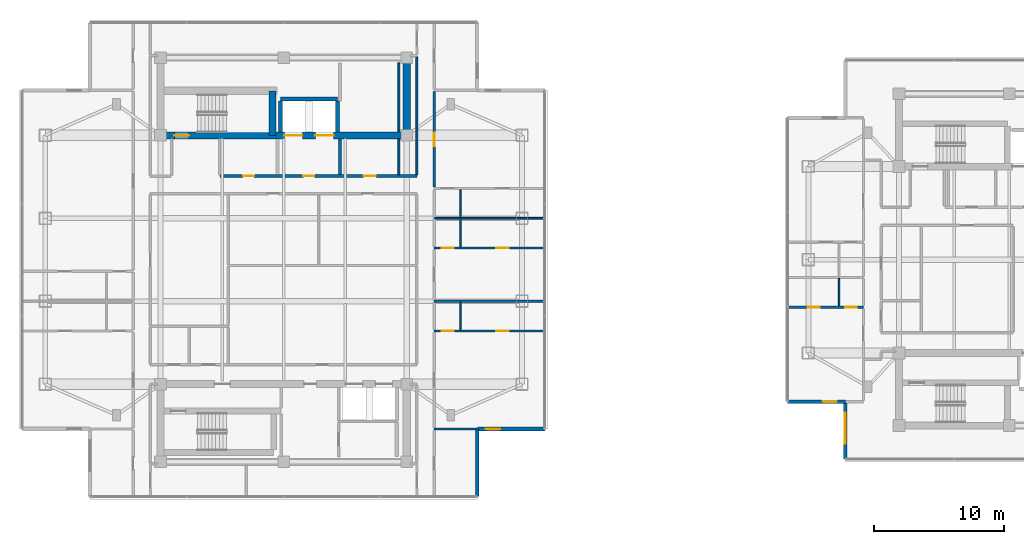
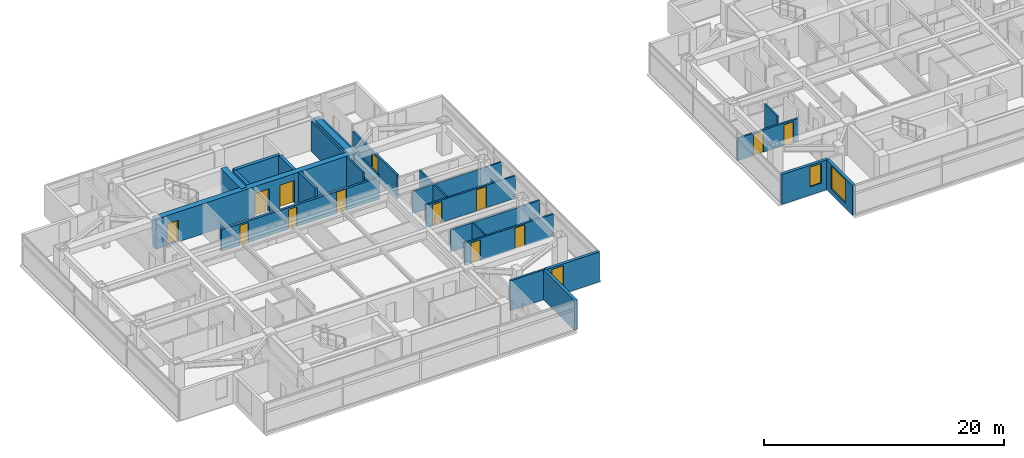
# One storey, part 14 of 24: 26 walls, 13 doors, 3 windows, 16 openings.
"""IFC4 building model written with IfcOpenShell, lengths in metres."""

from ifc_helpers import new_model, si_unit, direction, frame, frame_2d, origin, place, context, subcontext, project, spatial, rectangle, extrude, material, layer, layer_set, type_object, element, fill, save


model = new_model("IFC4")

# Units and contexts
model_context = context("Model", 3, precision=1e-05, world=origin(), true_north=direction((0.0, 1.0)))
body_context = subcontext(model_context, "Body", "Model", "MODEL_VIEW")
ifc_project = project(units=[si_unit("LENGTHUNIT", "METRE"), si_unit("AREAUNIT", "SQUARE_METRE"), si_unit("VOLUMEUNIT", "CUBIC_METRE"), si_unit("PLANEANGLEUNIT", "RADIAN"), si_unit("MASSUNIT", "GRAM", prefix="KILO")], contexts=[model_context])

# Site, building, storey
site_placement = place(None, origin())
site = spatial("IfcSite", under=ifc_project, at=site_placement, CompositionType="ELEMENT")
building_placement = place(site_placement, origin())
building = spatial("IfcBuilding", under=site, at=building_placement, Name="Mirazonda Arch Towers", CompositionType="ELEMENT")
storey_placement = place(building_placement, frame((0.0, 0.0, 193.39990234375)))
storey = spatial("IfcBuildingStorey", under=building, at=storey_placement, Name="L55", CompositionType="ELEMENT", Elevation=193.39990234375)

# Wall
ifc_material_1 = material(Name="Concrete C50/60", Category="concrete")
ifc_layer_1 = layer(ifc_material_1, 0.550048828125, Name="WALL-CORE-550")
ifc_layer_set_1 = layer_set([ifc_layer_1], Name="Concrete C50/60")
wall_type_1 = type_object("IfcWallType", Name="WALL-CORE-550", PredefinedType="SHEAR", material=ifc_layer_set_1)
wall_1_placement = place(storey_placement, frame((30.0, 37.60009765625, 0.0), z_axis=(0.0, 0.0, 1.0), x_axis=(0.0, 1.0, 0.0)))
element("IfcWall", 1, at=wall_1_placement, inside=storey, type_object=wall_type_1, Name="L55 T1N-E Core Shear Wall", PredefinedType="SHEAR", context=body_context, shape_type="SweptSolid", body=[
    extrude(rectangle(XDim=6.0, YDim=0.550048828125, at=frame_2d((3.0, 0.0))), origin(), (0.0, 0.0, 1.0), 3.050048828125),
])

# Wall, openings, doors
wall_2_placement = place(storey_placement, frame((11.0, 37.60009765625, 0.0), z_axis=(0.0, 0.0, 1.0), x_axis=(1.0, 0.0, 0.0)))
wall_2 = element("IfcWall", 2, at=wall_2_placement, inside=storey, type_object=wall_type_1, Name="L55 T1N-S Core Shear Wall", PredefinedType="SHEAR", context=body_context, shape_type="SweptSolid", body=[
    extrude(rectangle(XDim=19.0, YDim=0.550048828125, at=frame_2d((9.5, 0.0))), origin(), (0.0, 0.0, 1.0), 3.050048828125),
])
opening_1_placement = place(wall_2_placement, frame((1.06005859375, 0.0, 0.0)))
opening_1 = element("IfcOpeningElement", 3, at=opening_1_placement, cuts=wall_2, Name="Opening DR-135", PredefinedType="OPENING", context=body_context, shape_type="SweptSolid", body=[
    extrude(rectangle(XDim=1.14990234375, YDim=2.199951171875, at=frame_2d((0.574951171875, 1.10009765625))), frame((0.0, 0.284912109375, 0.0), z_axis=(0.0, -1.0, 0.0), x_axis=(1.0, 0.0, 0.0)), (0.0, 0.0, 1.0), 0.570068359375),
])
opening_2_placement = place(wall_2_placement, frame((9.550048828125, 0.0, 0.0)))
opening_2 = element("IfcOpeningElement", 4, at=opening_2_placement, cuts=wall_2, Name="Opening LD-112", PredefinedType="OPENING", context=body_context, shape_type="SweptSolid", body=[
    extrude(rectangle(XDim=1.39990234375, YDim=2.35009765625, at=frame_2d((0.699951171875, 1.175048828125))), frame((0.0, 0.284912109375, 0.0), z_axis=(0.0, -1.0, 0.0), x_axis=(1.0, 0.0, 0.0)), (0.0, 0.0, 1.0), 0.570068359375),
])
opening_3_placement = place(wall_2_placement, frame((11.949951171875, 0.0, 0.0)))
opening_3 = element("IfcOpeningElement", 5, at=opening_3_placement, cuts=wall_2, Name="Opening LD-112", PredefinedType="OPENING", context=body_context, shape_type="SweptSolid", body=[
    extrude(rectangle(XDim=1.39990234375, YDim=2.35009765625, at=frame_2d((0.699951171875, 1.175048828125))), frame((0.0, 0.284912109375, 0.0), z_axis=(0.0, -1.0, 0.0), x_axis=(1.0, 0.0, 0.0)), (0.0, 0.0, 1.0), 0.570068359375),
])
ifc_material_2 = material(Name="Architectural Brushed Steel S355", Category="steel")
door_type_1 = type_object("IfcDoorType", Name="DOOR-LIFT-FFL-1400", OperationType="NOTDEFINED", PredefinedType="DOOR", material=ifc_material_2)
door_1_placement = place(opening_2_placement, origin())
door_1 = element("IfcDoor", 6, at=door_1_placement, inside=storey, type_object=door_type_1, Name="L55 Lift Landing Sliding Door FFL-T1", OperationType="DOUBLE_DOOR_SLIDING", OverallHeight=2.35009765625, OverallWidth=1.39990234375, PredefinedType="DOOR", context=body_context, shape_type="SweptSolid", body=[
    extrude(rectangle(XDim=1.39990234375, YDim=2.35009765625, at=frame_2d((0.699951171875, 1.175048828125))), frame((0.0, 0.02490234375, 0.0), z_axis=(0.0, -1.0, 0.0), x_axis=(1.0, 0.0, 0.0)), (0.0, 0.0, 1.0), 0.050048828125),
])
fill(opening_2, door_1)
door_2_placement = place(opening_3_placement, origin())
door_2 = element("IfcDoor", 7, at=door_2_placement, inside=storey, type_object=door_type_1, Name="L55 Lift Landing Sliding Door SVL-T1", OperationType="DOUBLE_DOOR_SLIDING", OverallHeight=2.35009765625, OverallWidth=1.39990234375, PredefinedType="DOOR", context=body_context, shape_type="SweptSolid", body=[
    extrude(rectangle(XDim=1.39990234375, YDim=2.35009765625, at=frame_2d((0.699951171875, 1.175048828125))), frame((0.0, 0.02490234375, 0.0), z_axis=(0.0, -1.0, 0.0), x_axis=(1.0, 0.0, 0.0)), (0.0, 0.0, 1.0), 0.050048828125),
])
fill(opening_3, door_2)
door_type_2 = type_object("IfcDoorType", Name="DOOR-STAIR-FD90-1150", OperationType="NOTDEFINED", PredefinedType="DOOR", material=ifc_material_2)
door_3_placement = place(opening_1_placement, origin())
door_3 = element("IfcDoor", 8, at=door_3_placement, inside=storey, type_object=door_type_2, Name="L55 Protected Exit Stair North Door", OperationType="SINGLE_SWING_RIGHT", OverallHeight=2.199951171875, OverallWidth=1.14990234375, PredefinedType="DOOR", context=body_context, shape_type="SweptSolid", body=[
    extrude(rectangle(XDim=1.14990234375, YDim=2.199951171875, at=frame_2d((0.574951171875, 1.10009765625))), frame((0.0, 0.02490234375, 0.0), z_axis=(0.0, -1.0, 0.0), x_axis=(1.0, 0.0, 0.0)), (0.0, 0.0, 1.0), 0.050048828125),
])
fill(opening_1, door_3)

# Wall
wall_3_placement = place(storey_placement, frame((19.64990234375, 37.60009765625, 0.0), z_axis=(0.0, 0.0, 1.0), x_axis=(0.0, 1.0, 0.0)))
element("IfcWall", 9, at=wall_3_placement, inside=storey, type_object=wall_type_1, Name="L55 T1N-STE Core Shear Wall", PredefinedType="SHEAR", context=body_context, shape_type="SweptSolid", body=[
    extrude(rectangle(XDim=3.44287109375, YDim=0.550048828125, at=frame_2d((1.721435546875, 0.0))), origin(), (0.0, 0.0, 1.0), 3.050048828125),
])

# Wall, opening, window
ifc_material_3 = material(Name="Precast Concrete C40/50", Category="concrete")
ifc_layer_2 = layer(ifc_material_3, 0.280029296875, Name="WALL-EXT-WALL-280")
ifc_layer_set_2 = layer_set([ifc_layer_2], Name="Precast Concrete C40/50")
wall_type_2 = type_object("IfcWallType", Name="WALL-EXT-WALL-280", PredefinedType="SOLIDWALL", material=ifc_layer_set_2)
wall_4_placement = place(storey_placement, frame((35.455078125, 14.930908203125, 0.0), z_axis=(0.0, 0.0, 1.0), x_axis=(1.0, 0.0, 0.0)))
wall_4 = element("IfcWall", 10, at=wall_4_placement, inside=storey, type_object=wall_type_2, Name="L55 T1 Corner Notch Return Wall WL-L55-T1-CSE1", PredefinedType="SOLIDWALL", context=body_context, shape_type="SweptSolid", body=[
    extrude(rectangle(XDim=5.21484375, YDim=0.280029296875, at=frame_2d((2.607421875, 0.0))), origin(), (0.0, 0.0, 1.0), 3.030029296875),
])
opening_4_placement = place(wall_4_placement, frame((0.64990234375, 0.0, 0.85009765625)))
opening_4 = element("IfcOpeningElement", 11, at=opening_4_placement, cuts=wall_4, Name="Opening WN-108", PredefinedType="OPENING", context=body_context, shape_type="SweptSolid", body=[
    extrude(rectangle(XDim=1.10009765625, YDim=2.0, at=frame_2d((0.550048828125, 1.0))), frame((0.0, 0.14990234375, 0.0), z_axis=(0.0, -1.0, 0.0), x_axis=(1.0, 0.0, 0.0)), (0.0, 0.0, 1.0), 0.300048828125),
])
ifc_material_4 = material(Name="Insulated Low-E Solar Glass", Category="glass")
window_type_1 = type_object("IfcWindowType", Name="WIN-NOTCH-1100x2000", PartitioningType="SINGLE_PANEL", PredefinedType="WINDOW", material=ifc_material_4)
window_1_placement = place(opening_4_placement, origin())
window_1 = element("IfcWindow", 12, at=window_1_placement, inside=storey, type_object=window_type_1, Name="L55 Punched Facade Window WN-L55-T1-CSE1", OverallHeight=2.0, OverallWidth=1.10009765625, PartitioningType="SINGLE_PANEL", PredefinedType="WINDOW", context=body_context, shape_type="SweptSolid", body=[
    extrude(rectangle(XDim=1.10009765625, YDim=2.0, at=frame_2d((0.550048828125, 1.0))), frame((0.0, 0.030029296875, 0.0), z_axis=(0.0, -1.0, 0.0), x_axis=(1.0, 0.0, 0.0)), (0.0, 0.0, 1.0), 0.06005859375),
])
fill(opening_4, window_1)

# Wall
wall_5_placement = place(storey_placement, frame((35.455078125, 9.716064453125, 0.0), z_axis=(0.0, 0.0, 1.0), x_axis=(0.0, 1.0, 0.0)))
element("IfcWall", 13, at=wall_5_placement, inside=storey, type_object=wall_type_2, Name="L55 T1 Corner Notch Return Wall WL-L55-T1-CSE2", PredefinedType="SOLIDWALL", context=body_context, shape_type="SweptSolid", body=[
    extrude(rectangle(XDim=5.21484375, YDim=0.280029296875, at=frame_2d((2.607421875, 0.0))), origin(), (0.0, 0.0, 1.0), 3.030029296875),
])

# Wall, opening, window
wall_6_placement = place(storey_placement, frame((63.84814453125, 17.05126953125, 0.0), z_axis=(0.0, 0.0, 1.0), x_axis=(0.0, -1.0, 0.0)))
wall_6 = element("IfcWall", 14, at=wall_6_placement, inside=storey, type_object=wall_type_2, Name="L55 T2 Notched SW Corner Wall WL-L55-T2-CSW", PredefinedType="SOLIDWALL", context=body_context, shape_type="SweptSolid", body=[
    extrude(rectangle(XDim=4.439697265625, YDim=0.280029296875, at=frame_2d((2.2197265625, 0.0))), origin(), (0.0, 0.0, 1.0), 3.030029296875),
])
opening_5_placement = place(wall_6_placement, frame((0.85009765625, 0.0, 0.530029296875)))
opening_5 = element("IfcOpeningElement", 15, at=opening_5_placement, cuts=wall_6, Name="Opening WN-121", PredefinedType="OPENING", context=body_context, shape_type="SweptSolid", body=[
    extrude(rectangle(XDim=2.39990234375, YDim=2.35009765625, at=frame_2d((1.199951171875, 1.175048828125))), frame((0.0, 0.14990234375, 0.0), z_axis=(0.0, -1.0, 0.0), x_axis=(1.0, 0.0, 0.0)), (0.0, 0.0, 1.0), 0.300048828125),
])
window_type_2 = type_object("IfcWindowType", Name="WIN-PENT-2400x2350", PartitioningType="SINGLE_PANEL", PredefinedType="WINDOW", material=ifc_material_4)
window_2_placement = place(opening_5_placement, origin())
window_2 = element("IfcWindow", 16, at=window_2_placement, inside=storey, type_object=window_type_2, Name="L55 Punched Facade Window WN-L55-T2-CSW", OverallHeight=2.35009765625, OverallWidth=2.39990234375, PartitioningType="SINGLE_PANEL", PredefinedType="WINDOW", context=body_context, shape_type="SweptSolid", body=[
    extrude(rectangle(XDim=2.39990234375, YDim=2.35009765625, at=frame_2d((1.199951171875, 1.175048828125))), frame((0.0, 0.030029296875, 0.0), z_axis=(0.0, -1.0, 0.0), x_axis=(1.0, 0.0, 0.0)), (0.0, 0.0, 1.0), 0.06005859375),
])
fill(opening_5, window_2)

wall_7_placement = place(storey_placement, frame((59.408447265625, 17.05126953125, 0.0), z_axis=(0.0, 0.0, 1.0), x_axis=(1.0, 0.0, 0.0)))
wall_7 = element("IfcWall", 17, at=wall_7_placement, inside=storey, type_object=wall_type_2, Name="L55 T2 Corner Notch Return Wall WL-L55-T2-CSW2", PredefinedType="SOLIDWALL", context=body_context, shape_type="SweptSolid", body=[
    extrude(rectangle(XDim=4.439697265625, YDim=0.280029296875, at=frame_2d((2.2197265625, 0.0))), origin(), (0.0, 0.0, 1.0), 3.030029296875),
])
opening_6_placement = place(wall_7_placement, frame((2.68994140625, 0.0, 0.85009765625)))
opening_6 = element("IfcOpeningElement", 18, at=opening_6_placement, cuts=wall_7, Name="Opening WN-108", PredefinedType="OPENING", context=body_context, shape_type="SweptSolid", body=[
    extrude(rectangle(XDim=1.10009765625, YDim=2.0, at=frame_2d((0.550048828125, 1.0))), frame((0.0, 0.14990234375, 0.0), z_axis=(0.0, -1.0, 0.0), x_axis=(1.0, 0.0, 0.0)), (0.0, 0.0, 1.0), 0.300048828125),
])
window_3_placement = place(opening_6_placement, origin())
window_3 = element("IfcWindow", 19, at=window_3_placement, inside=storey, type_object=window_type_1, Name="L55 Punched Facade Window WN-L55-T2-CSW2", OverallHeight=2.0, OverallWidth=1.10009765625, PartitioningType="SINGLE_PANEL", PredefinedType="WINDOW", context=body_context, shape_type="SweptSolid", body=[
    extrude(rectangle(XDim=1.10009765625, YDim=2.0, at=frame_2d((0.550048828125, 1.0))), frame((0.0, 0.030029296875, 0.0), z_axis=(0.0, -1.0, 0.0), x_axis=(1.0, 0.0, 0.0)), (0.0, 0.0, 1.0), 0.06005859375),
])
fill(opening_6, window_3)

# Wall, openings, doors
ifc_material_5 = material(Name="Concrete C40/50", Category="concrete")
ifc_layer_3 = layer(ifc_material_5, 0.219970703125, Name="WALL-FFL-220")
ifc_layer_set_3 = layer_set([ifc_layer_3], Name="Concrete C40/50")
wall_type_3 = type_object("IfcWallType", Name="WALL-FFL-220", PredefinedType="SOLIDWALL", material=ifc_layer_set_3)
wall_8_placement = place(storey_placement, frame((15.590087890625, 34.449951171875, 0.0), z_axis=(0.0, 0.0, 1.0), x_axis=(1.0, 0.0, 0.0)))
wall_8 = element("IfcWall", 20, at=wall_8_placement, inside=storey, type_object=wall_type_3, Name="L55 Interior Partition 046", PredefinedType="SOLIDWALL", context=body_context, shape_type="SweptSolid", body=[
    extrude(rectangle(XDim=15.18994140625, YDim=0.219970703125, at=frame_2d((7.594970703125, 0.0))), origin(), (0.0, 0.0, 1.0), 2.18603515625),
])
opening_7_placement = place(wall_8_placement, frame((6.43505859375, 0.0, 0.0)))
opening_7 = element("IfcOpeningElement", 21, at=opening_7_placement, cuts=wall_8, Name="Opening DR-128", PredefinedType="OPENING", context=body_context, shape_type="SweptSolid", body=[
    extrude(rectangle(XDim=0.85009765625, YDim=2.010009765625, at=frame_2d((0.425048828125, 1.0048828125))), frame((0.0, 0.119873046875, 0.0), z_axis=(0.0, -1.0, 0.0), x_axis=(1.0, 0.0, 0.0)), (0.0, 0.0, 1.0), 0.239990234375),
])
opening_8_placement = place(wall_8_placement, frame((11.0849609375, 0.0, 0.0)))
opening_8 = element("IfcOpeningElement", 22, at=opening_8_placement, cuts=wall_8, Name="Opening DR-104", PredefinedType="OPENING", context=body_context, shape_type="SweptSolid", body=[
    extrude(rectangle(XDim=0.949951171875, YDim=2.14990234375, at=frame_2d((0.47509765625, 1.074951171875))), frame((0.0, 0.119873046875, 0.0), z_axis=(0.0, -1.0, 0.0), x_axis=(1.0, 0.0, 0.0)), (0.0, 0.0, 1.0), 0.239990234375),
])
opening_9_placement = place(wall_8_placement, frame((1.77490234375, 0.0, 0.0)))
opening_9 = element("IfcOpeningElement", 23, at=opening_9_placement, cuts=wall_8, Name="Opening DR-128", PredefinedType="OPENING", context=body_context, shape_type="SweptSolid", body=[
    extrude(rectangle(XDim=0.85009765625, YDim=2.010009765625, at=frame_2d((0.425048828125, 1.0048828125))), frame((0.0, 0.119873046875, 0.0), z_axis=(0.0, -1.0, 0.0), x_axis=(1.0, 0.0, 0.0)), (0.0, 0.0, 1.0), 0.239990234375),
])
door_type_3 = type_object("IfcDoorType", Name="DOOR-RISER-FD60-850", OperationType="NOTDEFINED", PredefinedType="DOOR", material=ifc_material_2)
door_4_placement = place(opening_7_placement, origin())
door_4 = element("IfcDoor", 24, at=door_4_placement, inside=storey, type_object=door_type_3, Name="L55 Firefighting Lift Lobby Door", OperationType="SINGLE_SWING_LEFT", OverallHeight=2.010009765625, OverallWidth=0.85009765625, PredefinedType="DOOR", context=body_context, shape_type="SweptSolid", body=[
    extrude(rectangle(XDim=0.85009765625, YDim=2.010009765625, at=frame_2d((0.425048828125, 1.0048828125))), frame((0.0, 0.02490234375, 0.0), z_axis=(0.0, -1.0, 0.0), x_axis=(1.0, 0.0, 0.0)), (0.0, 0.0, 1.0), 0.050048828125),
])
fill(opening_7, door_4)
door_5_placement = place(opening_9_placement, origin())
door_5 = element("IfcDoor", 25, at=door_5_placement, inside=storey, type_object=door_type_3, Name="L55 Housekeeping Linen Room Door", OperationType="SINGLE_SWING_LEFT", OverallHeight=2.010009765625, OverallWidth=0.85009765625, PredefinedType="DOOR", context=body_context, shape_type="SweptSolid", body=[
    extrude(rectangle(XDim=0.85009765625, YDim=2.010009765625, at=frame_2d((0.425048828125, 1.0048828125))), frame((0.0, 0.02490234375, 0.0), z_axis=(0.0, -1.0, 0.0), x_axis=(1.0, 0.0, 0.0)), (0.0, 0.0, 1.0), 0.050048828125),
])
fill(opening_9, door_5)
door_type_4 = type_object("IfcDoorType", Name="DOOR-ROOM-950", OperationType="NOTDEFINED", PredefinedType="DOOR", material=ifc_material_2)
door_6_placement = place(opening_8_placement, origin())
door_6 = element("IfcDoor", 26, at=door_6_placement, inside=storey, type_object=door_type_4, Name="L55 Residents Private Art Gallery Door", OperationType="SINGLE_SWING_RIGHT", OverallHeight=2.14990234375, OverallWidth=0.949951171875, PredefinedType="DOOR", context=body_context, shape_type="SweptSolid", body=[
    extrude(rectangle(XDim=0.949951171875, YDim=2.14990234375, at=frame_2d((0.47509765625, 1.074951171875))), frame((0.0, 0.02490234375, 0.0), z_axis=(0.0, -1.0, 0.0), x_axis=(1.0, 0.0, 0.0)), (0.0, 0.0, 1.0), 0.050048828125),
])
fill(opening_8, door_6)

# Walls
wall_9_placement = place(storey_placement, frame((24.85009765625, 34.570068359375, 0.0), z_axis=(0.0, 0.0, 1.0), x_axis=(0.0, 1.0, 0.0)))
element("IfcWall", 27, at=wall_9_placement, inside=storey, type_object=wall_type_3, Name="L55 Interior Partition 088", PredefinedType="SOLIDWALL", context=body_context, shape_type="SweptSolid", body=[
    extrude(rectangle(XDim=2.760009765625, YDim=0.219970703125, at=frame_2d((1.3798828125, 0.0))), origin(), (0.0, 0.0, 1.0), 3.050048828125),
])
ifc_material_6 = material(Name="Fire-Rated Gypsum Stud Partition")
ifc_layer_4 = layer(ifc_material_6, 0.14990234375, Name="WALL-PART-CORR-150")
ifc_layer_set_4 = layer_set([ifc_layer_4], Name="Fire-Rated Gypsum Stud Partition")
wall_type_4 = type_object("IfcWallType", Name="WALL-PART-CORR-150", PredefinedType="PARTITIONING", material=ifc_layer_set_4)
wall_10_placement = place(storey_placement, frame((29.39990234375, 34.570068359375, 0.0), z_axis=(0.0, 0.0, 1.0), x_axis=(0.0, 1.0, 0.0)))
element("IfcWall", 28, at=wall_10_placement, inside=storey, type_object=wall_type_4, Name="L55 Interior Partition 092", PredefinedType="PARTITIONING", context=body_context, shape_type="SweptSolid", body=[
    extrude(rectangle(XDim=2.760009765625, YDim=0.14990234375, at=frame_2d((1.3798828125, 0.0))), origin(), (0.0, 0.0, 1.0), 3.050048828125),
])
wall_11_placement = place(storey_placement, frame((29.39990234375, 37.8701171875, 0.0), z_axis=(0.0, 0.0, 1.0), x_axis=(0.0, 1.0, 0.0)))
element("IfcWall", 29, at=wall_11_placement, inside=storey, type_object=wall_type_4, Name="L55 Interior Partition 093", PredefinedType="PARTITIONING", context=body_context, shape_type="SweptSolid", body=[
    extrude(rectangle(XDim=5.329833984375, YDim=0.14990234375, at=frame_2d((2.6650390625, 0.0))), origin(), (0.0, 0.0, 1.0), 3.050048828125),
])
wall_12_placement = place(storey_placement, frame((30.780029296875, 34.570068359375, 0.0), z_axis=(0.0, 0.0, 1.0), x_axis=(0.0, 1.0, 0.0)))
element("IfcWall", 30, at=wall_12_placement, inside=storey, type_object=wall_type_4, Name="L55 Interior Partition 098", PredefinedType="PARTITIONING", context=body_context, shape_type="SweptSolid", body=[
    extrude(rectangle(XDim=9.094970703125, YDim=0.14990234375, at=frame_2d((4.54736328125, 0.0))), origin(), (0.0, 0.0, 1.0), 2.442138671875),
])
ifc_material_7 = material(Name="Fire-Rated Gypsum Twin-Stud Assembly")
ifc_layer_5 = layer(ifc_material_7, 0.179931640625, Name="WALL-PART-DEMISE-180")
ifc_layer_set_5 = layer_set([ifc_layer_5], Name="Fire-Rated Gypsum Twin-Stud Assembly")
wall_type_5 = type_object("IfcWallType", Name="WALL-PART-DEMISE-180", PredefinedType="PARTITIONING", material=ifc_layer_set_5)
wall_13_placement = place(storey_placement, frame((32.1201171875, 14.930908203125, 0.0), z_axis=(0.0, 0.0, 1.0), x_axis=(1.0, 0.0, 0.0)))
element("IfcWall", 31, at=wall_13_placement, inside=storey, type_object=wall_type_5, Name="L55 Interior Partition 005", PredefinedType="PARTITIONING", context=body_context, shape_type="SweptSolid", body=[
    extrude(rectangle(XDim=3.31494140625, YDim=0.179931640625, at=frame_2d((1.657470703125, 0.0))), origin(), (0.0, 0.0, 1.0), 3.050048828125),
])

# Wall, openings, doors
wall_14_placement = place(storey_placement, frame((32.1201171875, 22.5, 0.0), z_axis=(0.0, 0.0, 1.0), x_axis=(1.0, 0.0, 0.0)))
wall_14 = element("IfcWall", 32, at=wall_14_placement, inside=storey, type_object=wall_type_5, Name="L55 Interior Partition 020", PredefinedType="PARTITIONING", context=body_context, shape_type="SweptSolid", body=[
    extrude(rectangle(XDim=8.5498046875, YDim=0.179931640625, at=frame_2d((4.27490234375, 0.0))), origin(), (0.0, 0.0, 1.0), 2.26904296875),
])
opening_10_placement = place(wall_14_placement, frame((4.800048828125, 0.0, 0.0)))
opening_10 = element("IfcOpeningElement", 33, at=opening_10_placement, cuts=wall_14, Name="Opening DR-104", PredefinedType="OPENING", context=body_context, shape_type="SweptSolid", body=[
    extrude(rectangle(XDim=0.949951171875, YDim=2.14990234375, at=frame_2d((0.47509765625, 1.074951171875))), frame((0.0, 0.099853515625, 0.0), z_axis=(0.0, -1.0, 0.0), x_axis=(1.0, 0.0, 0.0)), (0.0, 0.0, 1.0), 0.199951171875),
])
opening_11_placement = place(wall_14_placement, frame((0.590087890625, 0.0, 0.0)))
opening_11 = element("IfcOpeningElement", 34, at=opening_11_placement, cuts=wall_14, Name="Opening DR-120", PredefinedType="OPENING", context=body_context, shape_type="SweptSolid", body=[
    extrude(rectangle(XDim=0.89990234375, YDim=2.10009765625, at=frame_2d((0.449951171875, 1.050048828125))), frame((0.0, 0.099853515625, 0.0), z_axis=(0.0, -1.0, 0.0), x_axis=(1.0, 0.0, 0.0)), (0.0, 0.0, 1.0), 0.199951171875),
])
door_7_placement = place(opening_10_placement, origin())
door_7 = element("IfcDoor", 35, at=door_7_placement, inside=storey, type_object=door_type_4, Name="L55 Guestroom Study 1 Door", OperationType="SINGLE_SWING_RIGHT", OverallHeight=2.14990234375, OverallWidth=0.949951171875, PredefinedType="DOOR", context=body_context, shape_type="SweptSolid", body=[
    extrude(rectangle(XDim=0.949951171875, YDim=2.14990234375, at=frame_2d((0.47509765625, 1.074951171875))), frame((0.0, 0.02490234375, 0.0), z_axis=(0.0, -1.0, 0.0), x_axis=(1.0, 0.0, 0.0)), (0.0, 0.0, 1.0), 0.050048828125),
])
fill(opening_10, door_7)
door_type_5 = type_object("IfcDoorType", Name="DOOR-WC-900", OperationType="NOTDEFINED", PredefinedType="DOOR", material=ifc_material_2)
door_8_placement = place(opening_11_placement, origin())
door_8 = element("IfcDoor", 36, at=door_8_placement, inside=storey, type_object=door_type_5, Name="L55 En-Suite Bathroom 1 Door", OperationType="SINGLE_SWING_LEFT", OverallHeight=2.10009765625, OverallWidth=0.89990234375, PredefinedType="DOOR", context=body_context, shape_type="SweptSolid", body=[
    extrude(rectangle(XDim=0.89990234375, YDim=2.10009765625, at=frame_2d((0.449951171875, 1.050048828125))), frame((0.0, 0.02490234375, 0.0), z_axis=(0.0, -1.0, 0.0), x_axis=(1.0, 0.0, 0.0)), (0.0, 0.0, 1.0), 0.050048828125),
])
fill(opening_11, door_8)

wall_15_placement = place(storey_placement, frame((59.407958984375, 24.33203125, 0.0), z_axis=(0.0, 0.0, 1.0), x_axis=(1.0, 0.0, 0.0)))
wall_15 = element("IfcWall", 37, at=wall_15_placement, inside=storey, type_object=wall_type_5, Name="L55 Interior Partition 024", PredefinedType="PARTITIONING", context=body_context, shape_type="SweptSolid", body=[
    extrude(rectangle(XDim=5.842041015625, YDim=0.179931640625, at=frame_2d((2.9208984375, 0.0))), origin(), (0.0, 0.0, 1.0), 2.26904296875),
])
opening_12_placement = place(wall_15_placement, frame((1.52587890625, 0.0, 0.0)))
opening_12 = element("IfcOpeningElement", 38, at=opening_12_placement, cuts=wall_15, Name="Opening DR-104", PredefinedType="OPENING", context=body_context, shape_type="SweptSolid", body=[
    extrude(rectangle(XDim=0.949951171875, YDim=2.14990234375, at=frame_2d((0.47509765625, 1.074951171875))), frame((0.0, 0.099853515625, 0.0), z_axis=(0.0, -1.0, 0.0), x_axis=(1.0, 0.0, 0.0)), (0.0, 0.0, 1.0), 0.199951171875),
])
opening_13_placement = place(wall_15_placement, frame((4.431884765625, 0.0, 0.0)))
opening_13 = element("IfcOpeningElement", 39, at=opening_13_placement, cuts=wall_15, Name="Opening DR-120", PredefinedType="OPENING", context=body_context, shape_type="SweptSolid", body=[
    extrude(rectangle(XDim=0.89990234375, YDim=2.10009765625, at=frame_2d((0.449951171875, 1.050048828125))), frame((0.0, 0.099853515625, 0.0), z_axis=(0.0, -1.0, 0.0), x_axis=(1.0, 0.0, 0.0)), (0.0, 0.0, 1.0), 0.199951171875),
])
door_9_placement = place(opening_12_placement, origin())
door_9 = element("IfcDoor", 40, at=door_9_placement, inside=storey, type_object=door_type_4, Name="L55 Studio 1 Galley Kitchen Door", OperationType="SINGLE_SWING_LEFT", OverallHeight=2.14990234375, OverallWidth=0.949951171875, PredefinedType="DOOR", context=body_context, shape_type="SweptSolid", body=[
    extrude(rectangle(XDim=0.949951171875, YDim=2.14990234375, at=frame_2d((0.47509765625, 1.074951171875))), frame((0.0, 0.02490234375, 0.0), z_axis=(0.0, -1.0, 0.0), x_axis=(1.0, 0.0, 0.0)), (0.0, 0.0, 1.0), 0.050048828125),
])
fill(opening_12, door_9)
door_10_placement = place(opening_13_placement, origin())
door_10 = element("IfcDoor", 41, at=door_10_placement, inside=storey, type_object=door_type_5, Name="L55 Studio 1 Bathroom Door", OperationType="SINGLE_SWING_RIGHT", OverallHeight=2.10009765625, OverallWidth=0.89990234375, PredefinedType="DOOR", context=body_context, shape_type="SweptSolid", body=[
    extrude(rectangle(XDim=0.89990234375, YDim=2.10009765625, at=frame_2d((0.449951171875, 1.050048828125))), frame((0.0, 0.02490234375, 0.0), z_axis=(0.0, -1.0, 0.0), x_axis=(1.0, 0.0, 0.0)), (0.0, 0.0, 1.0), 0.050048828125),
])
fill(opening_13, door_10)

# Wall
wall_16_placement = place(storey_placement, frame((32.1201171875, 24.800048828125, 0.0), z_axis=(0.0, 0.0, 1.0), x_axis=(1.0, 0.0, 0.0)))
element("IfcWall", 42, at=wall_16_placement, inside=storey, type_object=wall_type_5, Name="L55 Interior Partition 026", PredefinedType="PARTITIONING", context=body_context, shape_type="SweptSolid", body=[
    extrude(rectangle(XDim=8.5498046875, YDim=0.179931640625, at=frame_2d((4.27490234375, 0.0))), origin(), (0.0, 0.0, 1.0), 2.26904296875),
])

# Wall, openings, doors
wall_17_placement = place(storey_placement, frame((32.1201171875, 28.89990234375, 0.0), z_axis=(0.0, 0.0, 1.0), x_axis=(1.0, 0.0, 0.0)))
wall_17 = element("IfcWall", 43, at=wall_17_placement, inside=storey, type_object=wall_type_5, Name="L55 Interior Partition 035", PredefinedType="PARTITIONING", context=body_context, shape_type="SweptSolid", body=[
    extrude(rectangle(XDim=8.5498046875, YDim=0.179931640625, at=frame_2d((4.27490234375, 0.0))), origin(), (0.0, 0.0, 1.0), 2.26904296875),
])
opening_14_placement = place(wall_17_placement, frame((4.800048828125, 0.0, 0.0)))
opening_14 = element("IfcOpeningElement", 44, at=opening_14_placement, cuts=wall_17, Name="Opening DR-104", PredefinedType="OPENING", context=body_context, shape_type="SweptSolid", body=[
    extrude(rectangle(XDim=0.949951171875, YDim=2.14990234375, at=frame_2d((0.47509765625, 1.074951171875))), frame((0.0, 0.099853515625, 0.0), z_axis=(0.0, -1.0, 0.0), x_axis=(1.0, 0.0, 0.0)), (0.0, 0.0, 1.0), 0.199951171875),
])
opening_15_placement = place(wall_17_placement, frame((0.590087890625, 0.0, 0.0)))
opening_15 = element("IfcOpeningElement", 45, at=opening_15_placement, cuts=wall_17, Name="Opening DR-120", PredefinedType="OPENING", context=body_context, shape_type="SweptSolid", body=[
    extrude(rectangle(XDim=0.89990234375, YDim=2.10009765625, at=frame_2d((0.449951171875, 1.050048828125))), frame((0.0, 0.099853515625, 0.0), z_axis=(0.0, -1.0, 0.0), x_axis=(1.0, 0.0, 0.0)), (0.0, 0.0, 1.0), 0.199951171875),
])
door_11_placement = place(opening_14_placement, origin())
door_11 = element("IfcDoor", 46, at=door_11_placement, inside=storey, type_object=door_type_4, Name="L55 Guestroom Study 2 Door", OperationType="SINGLE_SWING_LEFT", OverallHeight=2.14990234375, OverallWidth=0.949951171875, PredefinedType="DOOR", context=body_context, shape_type="SweptSolid", body=[
    extrude(rectangle(XDim=0.949951171875, YDim=2.14990234375, at=frame_2d((0.47509765625, 1.074951171875))), frame((0.0, 0.02490234375, 0.0), z_axis=(0.0, -1.0, 0.0), x_axis=(1.0, 0.0, 0.0)), (0.0, 0.0, 1.0), 0.050048828125),
])
fill(opening_14, door_11)
door_12_placement = place(opening_15_placement, origin())
door_12 = element("IfcDoor", 47, at=door_12_placement, inside=storey, type_object=door_type_5, Name="L55 En-Suite Bathroom 2 Door", OperationType="SINGLE_SWING_RIGHT", OverallHeight=2.10009765625, OverallWidth=0.89990234375, PredefinedType="DOOR", context=body_context, shape_type="SweptSolid", body=[
    extrude(rectangle(XDim=0.89990234375, YDim=2.10009765625, at=frame_2d((0.449951171875, 1.050048828125))), frame((0.0, 0.02490234375, 0.0), z_axis=(0.0, -1.0, 0.0), x_axis=(1.0, 0.0, 0.0)), (0.0, 0.0, 1.0), 0.050048828125),
])
fill(opening_15, door_12)

# Wall, opening, door
wall_18_placement = place(storey_placement, frame((32.1201171875, 33.60009765625, 0.0), z_axis=(0.0, 0.0, 1.0), x_axis=(0.0, 1.0, 0.0)))
wall_18 = element("IfcWall", 48, at=wall_18_placement, inside=storey, type_object=wall_type_5, Name="L55 Interior Partition 106", PredefinedType="PARTITIONING", context=body_context, shape_type="SweptSolid", body=[
    extrude(rectangle(XDim=7.368896484375, YDim=0.179931640625, at=frame_2d((3.6845703125, 0.0))), origin(), (0.0, 0.0, 1.0), 2.442138671875),
])
opening_16_placement = place(wall_18_placement, frame((3.159423828125, 0.0, 0.0)))
opening_16 = element("IfcOpeningElement", 49, at=opening_16_placement, cuts=wall_18, Name="Opening DR-121", PredefinedType="OPENING", context=body_context, shape_type="SweptSolid", body=[
    extrude(rectangle(XDim=1.050048828125, YDim=2.199951171875, at=frame_2d((0.52490234375, 1.10009765625))), frame((0.0, 0.099853515625, 0.0), z_axis=(0.0, -1.0, 0.0), x_axis=(1.0, 0.0, 0.0)), (0.0, 0.0, 1.0), 0.199951171875),
])
door_type_6 = type_object("IfcDoorType", Name="DOOR-SUITE-FD60-1050", OperationType="NOTDEFINED", PredefinedType="DOOR", material=ifc_material_2)
door_13_placement = place(opening_16_placement, origin())
door_13 = element("IfcDoor", 50, at=door_13_placement, inside=storey, type_object=door_type_6, Name="L55 King Hotel Guestroom 3 Door", OperationType="SINGLE_SWING_LEFT", OverallHeight=2.199951171875, OverallWidth=1.050048828125, PredefinedType="DOOR", context=body_context, shape_type="SweptSolid", body=[
    extrude(rectangle(XDim=1.050048828125, YDim=2.199951171875, at=frame_2d((0.52490234375, 1.10009765625))), frame((0.0, 0.02490234375, 0.0), z_axis=(0.0, -1.0, 0.0), x_axis=(1.0, 0.0, 0.0)), (0.0, 0.0, 1.0), 0.050048828125),
])
fill(opening_16, door_13)

# Walls
ifc_material_8 = material(Name="Acoustic Fire-Rated Gypsum Partition")
ifc_layer_6 = layer(ifc_material_8, 0.125, Name="WALL-PART-UNIT-125")
ifc_layer_set_6 = layer_set([ifc_layer_6], Name="Acoustic Fire-Rated Gypsum Partition")
wall_type_6 = type_object("IfcWallType", Name="WALL-PART-UNIT-125", PredefinedType="PARTITIONING", material=ifc_layer_set_6)
wall_19_placement = place(storey_placement, frame((32.1201171875, 31.199951171875, 0.0), z_axis=(0.0, 0.0, 1.0), x_axis=(1.0, 0.0, 0.0)))
element("IfcWall", 51, at=wall_19_placement, inside=storey, type_object=wall_type_6, Name="L55 Interior Partition 040", PredefinedType="PARTITIONING", context=body_context, shape_type="SweptSolid", body=[
    extrude(rectangle(XDim=8.5498046875, YDim=0.125, at=frame_2d((4.27490234375, 0.0))), origin(), (0.0, 0.0, 1.0), 2.26904296875),
])
wall_20_placement = place(storey_placement, frame((34.159912109375, 22.60009765625, 0.0), z_axis=(0.0, 0.0, 1.0), x_axis=(0.0, 1.0, 0.0)))
element("IfcWall", 52, at=wall_20_placement, inside=storey, type_object=wall_type_6, Name="L55 Interior Partition 108", PredefinedType="PARTITIONING", context=body_context, shape_type="SweptSolid", body=[
    extrude(rectangle(XDim=2.099853515625, YDim=0.125, at=frame_2d((1.0498046875, 0.0))), origin(), (0.0, 0.0, 1.0), 2.34619140625),
])
for number, where, z_axis, x_axis, name in (
    (53, (34.159912109375, 29.0, 0.0), (0.0, 0.0, 1.0), (0.0, 1.0, 0.0), "L55 Interior Partition 109"),
    (54, (34.159912109375, 31.2724609375, 0.0), (0.0, 0.0, 1.0), (0.0, 1.0, 0.0), "L55 Interior Partition 110"),
):
    element("IfcWall", number, at=place(storey_placement, frame(where, z_axis=z_axis, x_axis=x_axis)), inside=storey, type_object=wall_type_6, Name=name, PredefinedType="PARTITIONING", context=body_context, shape_type="SweptSolid", body=[
        extrude(rectangle(XDim=2.12744140625, YDim=0.125, at=frame_2d((1.063720703125, 0.0))), origin(), (0.0, 0.0, 1.0), 2.34619140625),
    ])
wall_21_placement = place(storey_placement, frame((63.3701171875, 24.431884765625, 0.0), z_axis=(0.0, 0.0, 1.0), x_axis=(0.0, 1.0, 0.0)))
element("IfcWall", 55, at=wall_21_placement, inside=storey, type_object=wall_type_6, Name="L55 Interior Partition 111", PredefinedType="PARTITIONING", context=body_context, shape_type="SweptSolid", body=[
    extrude(rectangle(XDim=2.127685546875, YDim=0.125, at=frame_2d((1.06396484375, 0.0))), origin(), (0.0, 0.0, 1.0), 3.050048828125),
])
ifc_layer_7 = layer(ifc_material_1, 0.300048828125, Name="WALL-SHAFT-300")
ifc_layer_set_7 = layer_set([ifc_layer_7], Name="Concrete C50/60")
wall_type_7 = type_object("IfcWallType", Name="WALL-SHAFT-300", PredefinedType="SOLIDWALL", material=ifc_layer_set_7)
wall_22_placement = place(storey_placement, frame((20.25, 40.39990234375, 0.0), z_axis=(0.0, 0.0, 1.0), x_axis=(1.0, 0.0, 0.0)))
element("IfcWall", 56, at=wall_22_placement, inside=storey, type_object=wall_type_7, Name="L55 Interior Partition 053", PredefinedType="SOLIDWALL", context=body_context, shape_type="SweptSolid", body=[
    extrude(rectangle(XDim=4.39990234375, YDim=0.300048828125, at=frame_2d((2.199951171875, 0.0))), origin(), (0.0, 0.0, 1.0), 3.050048828125),
])
for number, where, z_axis, x_axis, name in (
    (57, (20.25, 37.8701171875, 0.0), (0.0, 0.0, 1.0), (0.0, 1.0, 0.0), "L55 Interior Partition 083"),
    (58, (24.64990234375, 37.8701171875, 0.0), (0.0, 0.0, 1.0), (0.0, 1.0, 0.0), "L55 Interior Partition 087"),
):
    element("IfcWall", number, at=place(storey_placement, frame(where, z_axis=z_axis, x_axis=x_axis)), inside=storey, type_object=wall_type_7, Name=name, PredefinedType="SOLIDWALL", context=body_context, shape_type="SweptSolid", body=[
        extrude(rectangle(XDim=2.369873046875, YDim=0.300048828125, at=frame_2d((1.18505859375, 0.0))), origin(), (0.0, 0.0, 1.0), 3.050048828125),
    ])

save(model, "model.ifc")
